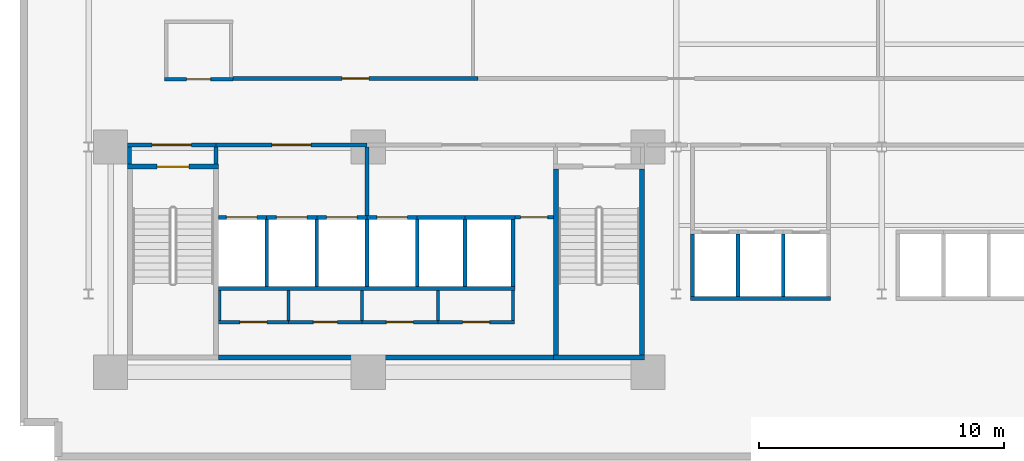
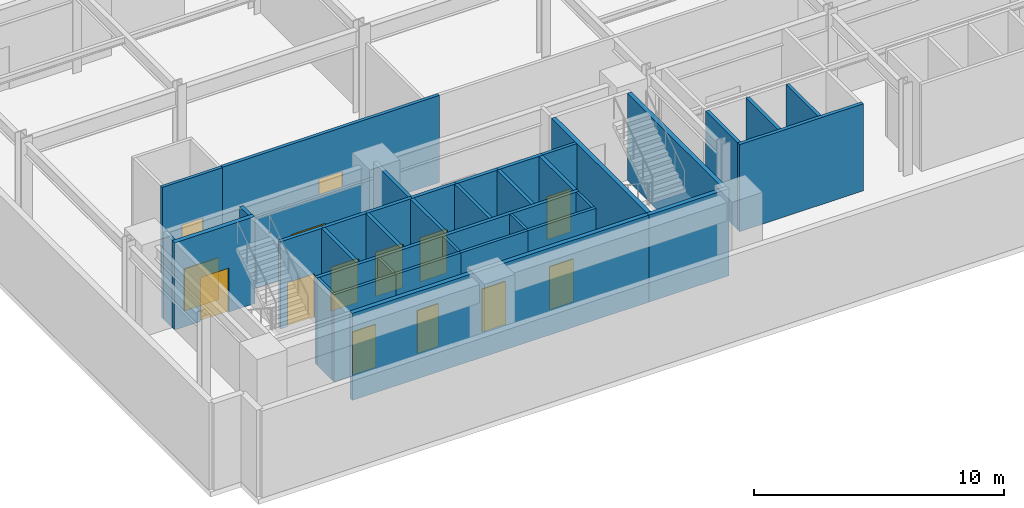
# One storey, part 14 of 26: 39 walls, 14 doors, 14 openings.
"""IFC4 building model written with IfcOpenShell, lengths in metres."""

from ifc_helpers import new_model, si_unit, direction, frame, frame_2d, origin, place, context, subcontext, project, spatial, rectangle, extrude, material, layer, layer_set, type_object, element, fill, save


model = new_model("IFC4")

# Units and contexts
model_context = context("Model", 3, precision=1e-05, world=origin(), true_north=direction((0.0, 1.0)))
body_context = subcontext(model_context, "Body", "Model", "MODEL_VIEW")
ifc_project = project(units=[si_unit("LENGTHUNIT", "METRE"), si_unit("AREAUNIT", "SQUARE_METRE"), si_unit("VOLUMEUNIT", "CUBIC_METRE"), si_unit("PLANEANGLEUNIT", "RADIAN"), si_unit("MASSUNIT", "GRAM", prefix="KILO")], contexts=[model_context])

# Site, building, storey
site_placement = place(None, origin())
site = spatial("IfcSite", under=ifc_project, at=site_placement, CompositionType="ELEMENT")
building_placement = place(site_placement, origin())
building = spatial("IfcBuilding", under=site, at=building_placement, Name="Varnakote Quay Hospital", CompositionType="ELEMENT")
storey_placement = place(building_placement, frame((0.0, 0.0, 4.5)))
storey = spatial("IfcBuildingStorey", under=building, at=storey_placement, Name="L01", CompositionType="ELEMENT", Elevation=4.5)

# Wall
ifc_material_1 = material(Name="Fire-rated acoustic gypsum stud wall", Category="gypsum")
ifc_layer_1 = layer(ifc_material_1, 0.159912109375)
ifc_layer_set_1 = layer_set([ifc_layer_1], Name="Fire-rated acoustic gypsum stud wall")
wall_type_1 = type_object("IfcWallType", Name="WL-COMP-160", PredefinedType="PARTITIONING", material=ifc_layer_set_1)
wall_1_placement = place(storey_placement, frame((2.8798828125, 11.300048828125, 0.0), z_axis=(0.0, 0.0, 1.0), x_axis=(0.0, 1.0, 0.0)))
element("IfcWall", 1, at=wall_1_placement, inside=storey, type_object=wall_type_1, Name="L01 West Stair Vestibule West Wall", PredefinedType="PARTITIONING", context=body_context, shape_type="SweptSolid", body=[
    extrude(rectangle(XDim=0.699951171875, YDim=0.159912109375, at=frame_2d((0.35009765625, 0.0))), origin(), (0.0, 0.0, 1.0), 4.25),
])

# Wall, opening, door
wall_2_placement = place(storey_placement, frame((2.800048828125, 12.080078125, 0.0), z_axis=(0.0, 0.0, 1.0), x_axis=(1.0, 0.0, 0.0)))
wall_2 = element("IfcWall", 2, at=wall_2_placement, inside=storey, type_object=wall_type_1, Name="L01 West Stair Vestibule Smoke Wall", PredefinedType="PARTITIONING", context=body_context, shape_type="SweptSolid", body=[
    extrude(rectangle(XDim=3.599853515625, YDim=0.159912109375, at=frame_2d((1.7998046875, 0.0))), origin(), (0.0, 0.0, 1.0), 3.425048828125),
])
opening_1_placement = place(wall_2_placement, frame((1.0, 0.0, 0.0)))
opening_1 = element("IfcOpeningElement", 3, at=opening_1_placement, cuts=wall_2, Name="Opening D-ST1L-L01", PredefinedType="OPENING", context=body_context, shape_type="SweptSolid", body=[
    extrude(rectangle(XDim=1.60009765625, YDim=2.050048828125, at=frame_2d((0.800048828125, 1.02490234375))), frame((0.0, 0.08984375, 0.0), z_axis=(0.0, -1.0, 0.0), x_axis=(1.0, 0.0, 0.0)), (0.0, 0.0, 1.0), 0.179931640625),
])
ifc_material_2 = material(Name="Fire-rated double smoke lobby door")
door_type_1 = type_object("IfcDoorType", Name="DR-LOBBY-FD60S-1600x2150", OperationType="NOTDEFINED", PredefinedType="DOOR", material=ifc_material_2)
door_1_placement = place(opening_1_placement, origin())
door_1 = element("IfcDoor", 4, at=door_1_placement, inside=storey, type_object=door_type_1, Name="L01 West Stair Vestibule Smoke Door", OperationType="DOUBLE_DOOR_SINGLE_SWING", OverallHeight=2.050048828125, OverallWidth=1.60009765625, PredefinedType="DOOR", context=body_context, shape_type="SweptSolid", body=[
    extrude(rectangle(XDim=1.60009765625, YDim=2.050048828125, at=frame_2d((0.800048828125, 1.02490234375))), frame((0.0, 0.02490234375, 0.0), z_axis=(0.0, -1.0, 0.0), x_axis=(1.0, 0.0, 0.0)), (0.0, 0.0, 1.0), 0.050048828125),
])
fill(opening_1, door_1)

# Wall
wall_3_placement = place(storey_placement, frame((6.39990234375, 11.300048828125, 0.0), z_axis=(0.0, 0.0, 1.0), x_axis=(0.0, 1.0, 0.0)))
element("IfcWall", 5, at=wall_3_placement, inside=storey, type_object=wall_type_1, Name="L01 Firefighting Lobby West Wall", PredefinedType="PARTITIONING", context=body_context, shape_type="SweptSolid", body=[
    extrude(rectangle(XDim=0.699951171875, YDim=0.159912109375, at=frame_2d((0.35009765625, 0.0))), origin(), (0.0, 0.0, 1.0), 4.25),
])

# Wall, opening, door
wall_4_placement = place(storey_placement, frame((6.39990234375, 12.080078125, 0.0), z_axis=(0.0, 0.0, 1.0), x_axis=(1.0, 0.0, 0.0)))
wall_4 = element("IfcWall", 6, at=wall_4_placement, inside=storey, type_object=wall_type_1, Name="L01 Firefighting Lift Lobby Compartment Wall", PredefinedType="PARTITIONING", context=body_context, shape_type="SweptSolid", body=[
    extrude(rectangle(XDim=6.18017578125, YDim=0.159912109375, at=frame_2d((3.090087890625, 0.0))), origin(), (0.0, 0.0, 1.0), 3.425048828125),
])
opening_2_placement = place(wall_4_placement, frame((2.2900390625, 0.0, 0.0)))
opening_2 = element("IfcOpeningElement", 7, at=opening_2_placement, cuts=wall_4, Name="Opening D-FFL-L01", PredefinedType="OPENING", context=body_context, shape_type="SweptSolid", body=[
    extrude(rectangle(XDim=1.60009765625, YDim=2.050048828125, at=frame_2d((0.800048828125, 1.02490234375))), frame((0.0, 0.08984375, 0.0), z_axis=(0.0, -1.0, 0.0), x_axis=(1.0, 0.0, 0.0)), (0.0, 0.0, 1.0), 0.179931640625),
])
door_2_placement = place(opening_2_placement, origin())
door_2 = element("IfcDoor", 8, at=door_2_placement, inside=storey, type_object=door_type_1, Name="L01 Firefighting Smoke Vestibule Door", OperationType="DOUBLE_DOOR_SINGLE_SWING", OverallHeight=2.050048828125, OverallWidth=1.60009765625, PredefinedType="DOOR", context=body_context, shape_type="SweptSolid", body=[
    extrude(rectangle(XDim=1.60009765625, YDim=2.050048828125, at=frame_2d((0.800048828125, 1.02490234375))), frame((0.0, 0.02490234375, 0.0), z_axis=(0.0, -1.0, 0.0), x_axis=(1.0, 0.0, 0.0)), (0.0, 0.0, 1.0), 0.050048828125),
])
fill(opening_2, door_2)

# Walls
wall_5_placement = place(storey_placement, frame((12.580078125, 9.2099609375, 0.0), z_axis=(0.0, 0.0, 1.0), x_axis=(0.0, 1.0, 0.0)))
element("IfcWall", 9, at=wall_5_placement, inside=storey, type_object=wall_type_1, Name="L01 Firefighting to Service Lobby Wall", PredefinedType="PARTITIONING", context=body_context, shape_type="SweptSolid", body=[
    extrude(rectangle(XDim=2.7900390625, YDim=0.159912109375, at=frame_2d((1.39501953125, 0.0))), origin(), (0.0, 0.0, 1.0), 4.25),
])
ifc_material_3 = material(Name="Concrete N80 (f'c 80 MPa)", Category="concrete")
ifc_layer_2 = layer(ifc_material_3, 0.199951171875)
ifc_layer_set_2 = layer_set([ifc_layer_2], Name="Concrete N80 (f'c 80 MPa)")
wall_type_2 = type_object("IfcWallType", Name="WL-CORE-N80-200", PredefinedType="SHEAR", material=ifc_layer_set_2)
wall_6_placement = place(storey_placement, frame((6.5, 3.39990234375, 0.0), z_axis=(0.0, 0.0, 1.0), x_axis=(1.0, 0.0, 0.0)))
element("IfcWall", 10, at=wall_6_placement, inside=storey, type_object=wall_type_2, Name="L01 Rear Core South Shear Wall", PredefinedType="SHEAR", context=body_context, shape_type="SweptSolid", body=[
    extrude(rectangle(XDim=13.699951171875, YDim=0.199951171875, at=frame_2d((6.85009765625, 0.0))), origin(), (0.0, 0.0, 1.0), 4.25),
])
ifc_material_4 = material(Name="Concrete N50 (f'c 50 MPa)", Category="concrete")
ifc_layer_3 = layer(ifc_material_4, 0.14990234375)
ifc_layer_set_3 = layer_set([ifc_layer_3], Name="Concrete N50 (f'c 50 MPa)")
wall_type_3 = type_object("IfcWallType", Name="WL-SHAFT-N50-150", PredefinedType="SHEAR", material=ifc_layer_set_3)
for number, where, z_axis, x_axis, name in (
    (11, (8.47509765625, 6.300048828125, 0.0), (0.0, 0.0, 1.0), (0.0, 1.0, 0.0), "L01 LF-FF1 Hoistway Divider Wall"),
    (12, (10.52490234375, 6.300048828125, 0.0), (0.0, 0.0, 1.0), (0.0, 1.0, 0.0), "L01 LF-FF2 Hoistway Divider Wall"),
    (13, (12.574951171875, 6.300048828125, 0.0), (0.0, 0.0, 1.0), (0.0, 1.0, 0.0), "L01 LF-SV1 Hoistway Divider Wall"),
    (14, (14.625, 6.300048828125, 0.0), (0.0, 0.0, 1.0), (0.0, 1.0, 0.0), "L01 LF-SV2 Hoistway Divider Wall"),
    (15, (16.574951171875, 6.300048828125, 0.0), (0.0, 0.0, 1.0), (0.0, 1.0, 0.0), "L01 LF-PH1 Hoistway Divider Wall"),
):
    element("IfcWall", number, at=place(storey_placement, frame(where, z_axis=z_axis, x_axis=x_axis)), inside=storey, type_object=wall_type_3, Name=name, PredefinedType="SHEAR", context=body_context, shape_type="SweptSolid", body=[
        extrude(rectangle(XDim=2.75, YDim=0.14990234375, at=frame_2d((1.375, 0.0))), origin(), (0.0, 0.0, 1.0), 4.25),
    ])
for number, where, z_axis, x_axis, name in (
    (16, (27.72509765625, 5.89990234375, 0.0), (0.0, 0.0, 1.0), (0.0, 1.0, 0.0), "L01 LF-PL1 Hoistway Divider Wall"),
    (17, (29.574951171875, 5.89990234375, 0.0), (0.0, 0.0, 1.0), (0.0, 1.0, 0.0), "L01 LF-PL2 Hoistway Divider Wall"),
):
    element("IfcWall", number, at=place(storey_placement, frame(where, z_axis=z_axis, x_axis=x_axis)), inside=storey, type_object=wall_type_3, Name=name, PredefinedType="SHEAR", context=body_context, shape_type="SweptSolid", body=[
        extrude(rectangle(XDim=2.550048828125, YDim=0.14990234375, at=frame_2d((1.27490234375, 0.0))), origin(), (0.0, 0.0, 1.0), 4.25),
    ])
ifc_material_5 = material(Name="Concrete N50 (f'c 50 MPa)", Category="concrete")
ifc_layer_4 = layer(ifc_material_5, 0.159912109375)
ifc_layer_set_4 = layer_set([ifc_layer_4], Name="Concrete N50 (f'c 50 MPa)")
wall_type_4 = type_object("IfcWallType", Name="WL-SHAFT-N50-160", PredefinedType="SHEAR", material=ifc_layer_set_4)
wall_7_placement = place(storey_placement, frame((6.5, 6.219970703125, 0.0), z_axis=(0.0, 0.0, 1.0), x_axis=(1.0, 0.0, 0.0)))
element("IfcWall", 18, at=wall_7_placement, inside=storey, type_object=wall_type_4, Name="L01 REAR Lift Bank Back Shear Wall", PredefinedType="SHEAR", context=body_context, shape_type="SweptSolid", body=[
    extrude(rectangle(XDim=12.110107421875, YDim=0.159912109375, at=frame_2d((6.05517578125, 0.0))), origin(), (0.0, 0.0, 1.0), 4.25),
])
wall_8_placement = place(storey_placement, frame((18.530029296875, 6.300048828125, 0.0), z_axis=(0.0, 0.0, 1.0), x_axis=(0.0, 1.0, 0.0)))
element("IfcWall", 19, at=wall_8_placement, inside=storey, type_object=wall_type_4, Name="L01 REAR Lift Bank East Shear Wall", PredefinedType="SHEAR", context=body_context, shape_type="SweptSolid", body=[
    extrude(rectangle(XDim=2.75, YDim=0.159912109375, at=frame_2d((1.375, 0.0))), origin(), (0.0, 0.0, 1.0), 4.25),
])

# Wall, opening, door
wall_9_placement = place(storey_placement, frame((6.5, 9.1298828125, 0.0), z_axis=(0.0, 0.0, 1.0), x_axis=(1.0, 0.0, 0.0)))
wall_9 = element("IfcWall", 20, at=wall_9_placement, inside=storey, type_object=wall_type_4, Name="L01 LF-FF1 Hoistway Front Wall", PredefinedType="SHEAR", context=body_context, shape_type="SweptSolid", body=[
    extrude(rectangle(XDim=1.97509765625, YDim=0.159912109375, at=frame_2d((0.987548828125, 0.0))), origin(), (0.0, 0.0, 1.0), 4.25),
])
opening_3_placement = place(wall_9_placement, frame((0.324951171875, 0.0, 0.0)))
opening_3 = element("IfcOpeningElement", 21, at=opening_3_placement, cuts=wall_9, Name="Opening LD-FF1-L01", PredefinedType="OPENING", context=body_context, shape_type="SweptSolid", body=[
    extrude(rectangle(XDim=1.25, YDim=2.14990234375, at=frame_2d((0.625, 1.074951171875))), frame((0.0, 0.08984375, 0.0), z_axis=(0.0, -1.0, 0.0), x_axis=(1.0, 0.0, 0.0)), (0.0, 0.0, 1.0), 0.179931640625),
])
ifc_material_6 = material(Name="Stainless steel lift landing sliding door", Category="steel")
door_type_2 = type_object("IfcDoorType", Name="DR-LIFT-LD-1250x2150", OperationType="NOTDEFINED", PredefinedType="DOOR", material=ifc_material_6)
door_3_placement = place(opening_3_placement, origin())
door_3 = element("IfcDoor", 22, at=door_3_placement, inside=storey, type_object=door_type_2, Name="L01 LF-FF1 Lift Landing Sliding Door", OperationType="SLIDING_TO_LEFT", OverallHeight=2.14990234375, OverallWidth=1.25, PredefinedType="DOOR", context=body_context, shape_type="SweptSolid", body=[
    extrude(rectangle(XDim=1.25, YDim=2.14990234375, at=frame_2d((0.625, 1.074951171875))), frame((0.0, 0.02490234375, 0.0), z_axis=(0.0, -1.0, 0.0), x_axis=(1.0, 0.0, 0.0)), (0.0, 0.0, 1.0), 0.050048828125),
])
fill(opening_3, door_3)

wall_10_placement = place(storey_placement, frame((8.47509765625, 9.1298828125, 0.0), z_axis=(0.0, 0.0, 1.0), x_axis=(1.0, 0.0, 0.0)))
wall_10 = element("IfcWall", 23, at=wall_10_placement, inside=storey, type_object=wall_type_4, Name="L01 LF-FF2 Hoistway Front Wall", PredefinedType="SHEAR", context=body_context, shape_type="SweptSolid", body=[
    extrude(rectangle(XDim=2.0498046875, YDim=0.159912109375, at=frame_2d((1.02490234375, 0.0))), origin(), (0.0, 0.0, 1.0), 4.25),
])
opening_4_placement = place(wall_10_placement, frame((0.39990234375, 0.0, 0.0)))
opening_4 = element("IfcOpeningElement", 24, at=opening_4_placement, cuts=wall_10, Name="Opening LD-FF2-L01", PredefinedType="OPENING", context=body_context, shape_type="SweptSolid", body=[
    extrude(rectangle(XDim=1.25, YDim=2.14990234375, at=frame_2d((0.625, 1.074951171875))), frame((0.0, 0.08984375, 0.0), z_axis=(0.0, -1.0, 0.0), x_axis=(1.0, 0.0, 0.0)), (0.0, 0.0, 1.0), 0.179931640625),
])
door_4_placement = place(opening_4_placement, origin())
door_4 = element("IfcDoor", 25, at=door_4_placement, inside=storey, type_object=door_type_2, Name="L01 LF-FF2 Lift Landing Sliding Door", OperationType="SLIDING_TO_LEFT", OverallHeight=2.14990234375, OverallWidth=1.25, PredefinedType="DOOR", context=body_context, shape_type="SweptSolid", body=[
    extrude(rectangle(XDim=1.25, YDim=2.14990234375, at=frame_2d((0.625, 1.074951171875))), frame((0.0, 0.02490234375, 0.0), z_axis=(0.0, -1.0, 0.0), x_axis=(1.0, 0.0, 0.0)), (0.0, 0.0, 1.0), 0.050048828125),
])
fill(opening_4, door_4)

wall_11_placement = place(storey_placement, frame((10.52490234375, 9.1298828125, 0.0), z_axis=(0.0, 0.0, 1.0), x_axis=(1.0, 0.0, 0.0)))
wall_11 = element("IfcWall", 26, at=wall_11_placement, inside=storey, type_object=wall_type_4, Name="L01 LF-SV1 Hoistway Front Wall", PredefinedType="SHEAR", context=body_context, shape_type="SweptSolid", body=[
    extrude(rectangle(XDim=2.050048828125, YDim=0.159912109375, at=frame_2d((1.02490234375, 0.0))), origin(), (0.0, 0.0, 1.0), 4.25),
])
opening_5_placement = place(wall_11_placement, frame((0.39990234375, 0.0, 0.0)))
opening_5 = element("IfcOpeningElement", 27, at=opening_5_placement, cuts=wall_11, Name="Opening LD-SV1-L01", PredefinedType="OPENING", context=body_context, shape_type="SweptSolid", body=[
    extrude(rectangle(XDim=1.25, YDim=2.14990234375, at=frame_2d((0.625, 1.074951171875))), frame((0.0, 0.08984375, 0.0), z_axis=(0.0, -1.0, 0.0), x_axis=(1.0, 0.0, 0.0)), (0.0, 0.0, 1.0), 0.179931640625),
])
door_5_placement = place(opening_5_placement, origin())
door_5 = element("IfcDoor", 28, at=door_5_placement, inside=storey, type_object=door_type_2, Name="L01 LF-SV1 Lift Landing Sliding Door", OperationType="SLIDING_TO_LEFT", OverallHeight=2.14990234375, OverallWidth=1.25, PredefinedType="DOOR", context=body_context, shape_type="SweptSolid", body=[
    extrude(rectangle(XDim=1.25, YDim=2.14990234375, at=frame_2d((0.625, 1.074951171875))), frame((0.0, 0.02490234375, 0.0), z_axis=(0.0, -1.0, 0.0), x_axis=(1.0, 0.0, 0.0)), (0.0, 0.0, 1.0), 0.050048828125),
])
fill(opening_5, door_5)

wall_12_placement = place(storey_placement, frame((12.574951171875, 9.1298828125, 0.0), z_axis=(0.0, 0.0, 1.0), x_axis=(1.0, 0.0, 0.0)))
wall_12 = element("IfcWall", 29, at=wall_12_placement, inside=storey, type_object=wall_type_4, Name="L01 LF-SV2 Hoistway Front Wall", PredefinedType="SHEAR", context=body_context, shape_type="SweptSolid", body=[
    extrude(rectangle(XDim=2.050048828125, YDim=0.159912109375, at=frame_2d((1.02490234375, 0.0))), origin(), (0.0, 0.0, 1.0), 4.25),
])
opening_6_placement = place(wall_12_placement, frame((0.39990234375, 0.0, 0.0)))
opening_6 = element("IfcOpeningElement", 30, at=opening_6_placement, cuts=wall_12, Name="Opening LD-SV2-L01", PredefinedType="OPENING", context=body_context, shape_type="SweptSolid", body=[
    extrude(rectangle(XDim=1.25, YDim=2.14990234375, at=frame_2d((0.625, 1.074951171875))), frame((0.0, 0.08984375, 0.0), z_axis=(0.0, -1.0, 0.0), x_axis=(1.0, 0.0, 0.0)), (0.0, 0.0, 1.0), 0.179931640625),
])
door_6_placement = place(opening_6_placement, origin())
door_6 = element("IfcDoor", 31, at=door_6_placement, inside=storey, type_object=door_type_2, Name="L01 LF-SV2 Lift Landing Sliding Door", OperationType="SLIDING_TO_LEFT", OverallHeight=2.14990234375, OverallWidth=1.25, PredefinedType="DOOR", context=body_context, shape_type="SweptSolid", body=[
    extrude(rectangle(XDim=1.25, YDim=2.14990234375, at=frame_2d((0.625, 1.074951171875))), frame((0.0, 0.02490234375, 0.0), z_axis=(0.0, -1.0, 0.0), x_axis=(1.0, 0.0, 0.0)), (0.0, 0.0, 1.0), 0.050048828125),
])
fill(opening_6, door_6)

# Walls
wall_13_placement = place(storey_placement, frame((14.625, 9.1298828125, 0.0), z_axis=(0.0, 0.0, 1.0), x_axis=(1.0, 0.0, 0.0)))
element("IfcWall", 32, at=wall_13_placement, inside=storey, type_object=wall_type_4, Name="L01 LF-PH1 Hoistway Front Wall", PredefinedType="SHEAR", context=body_context, shape_type="SweptSolid", body=[
    extrude(rectangle(XDim=1.949951171875, YDim=0.159912109375, at=frame_2d((0.97509765625, 0.0))), origin(), (0.0, 0.0, 1.0), 4.25),
])
wall_14_placement = place(storey_placement, frame((16.574951171875, 9.1298828125, 0.0), z_axis=(0.0, 0.0, 1.0), x_axis=(1.0, 0.0, 0.0)))
element("IfcWall", 33, at=wall_14_placement, inside=storey, type_object=wall_type_4, Name="L01 LF-PH2 Hoistway Front Wall", PredefinedType="SHEAR", context=body_context, shape_type="SweptSolid", body=[
    extrude(rectangle(XDim=2.03515625, YDim=0.159912109375, at=frame_2d((1.017578125, 0.0))), origin(), (0.0, 0.0, 1.0), 4.25),
])
wall_15_placement = place(storey_placement, frame((25.7900390625, 5.820068359375, 0.0), z_axis=(0.0, 0.0, 1.0), x_axis=(1.0, 0.0, 0.0)))
element("IfcWall", 34, at=wall_15_placement, inside=storey, type_object=wall_type_4, Name="L01 LOW Lift Bank Back Shear Wall", PredefinedType="SHEAR", context=body_context, shape_type="SweptSolid", body=[
    extrude(rectangle(XDim=5.719970703125, YDim=0.159912109375, at=frame_2d((2.85986328125, 0.0))), origin(), (0.0, 0.0, 1.0), 4.25),
])
wall_16_placement = place(storey_placement, frame((25.8701171875, 5.89990234375, 0.0), z_axis=(0.0, 0.0, 1.0), x_axis=(0.0, 1.0, 0.0)))
element("IfcWall", 35, at=wall_16_placement, inside=storey, type_object=wall_type_4, Name="L01 LOW Lift Bank West Shear Wall", PredefinedType="SHEAR", context=body_context, shape_type="SweptSolid", body=[
    extrude(rectangle(XDim=2.550048828125, YDim=0.159912109375, at=frame_2d((1.27490234375, 0.0))), origin(), (0.0, 0.0, 1.0), 4.25),
])

# Wall, opening, door
ifc_material_7 = material(Name="Concrete N50 (f'c 50 MPa)", Category="concrete")
ifc_layer_5 = layer(ifc_material_7, 0.199951171875)
ifc_layer_set_5 = layer_set([ifc_layer_5], Name="Concrete N50 (f'c 50 MPa)")
wall_type_5 = type_object("IfcWallType", Name="WL-SHAFT-N50-200", PredefinedType="SHEAR", material=ifc_layer_set_5)
wall_17_placement = place(storey_placement, frame((2.800048828125, 11.199951171875, 0.0), z_axis=(0.0, 0.0, 1.0), x_axis=(1.0, 0.0, 0.0)))
wall_17 = element("IfcWall", 36, at=wall_17_placement, inside=storey, type_object=wall_type_5, Name="L01 Stair ST1 Exit Wall", PredefinedType="SHEAR", context=body_context, shape_type="SweptSolid", body=[
    extrude(rectangle(XDim=3.699951171875, YDim=0.199951171875, at=frame_2d((1.85009765625, 0.0))), origin(), (0.0, 0.0, 1.0), 4.25),
])
opening_7_placement = place(wall_17_placement, frame((1.199951171875, 0.0, 0.0)))
opening_7 = element("IfcOpeningElement", 37, at=opening_7_placement, cuts=wall_17, Name="Opening D-ST1-L01", PredefinedType="OPENING", context=body_context, shape_type="SweptSolid", body=[
    extrude(rectangle(XDim=1.300048828125, YDim=2.14990234375, at=frame_2d((0.64990234375, 1.074951171875))), frame((0.0, 0.10986328125, 0.0), z_axis=(0.0, -1.0, 0.0), x_axis=(1.0, 0.0, 0.0)), (0.0, 0.0, 1.0), 0.219970703125),
])
ifc_material_8 = material(Name="Fire-rated ceramic-glazed timber exit door", Category="wood")
door_type_3 = type_object("IfcDoorType", Name="DR-STAIR-FD60S-1300x2150", OperationType="NOTDEFINED", PredefinedType="DOOR", material=ifc_material_8)
door_7_placement = place(opening_7_placement, origin())
door_7 = element("IfcDoor", 38, at=door_7_placement, inside=storey, type_object=door_type_3, Name="L01 Stair ST1 Fire Exit Door", OperationType="SINGLE_SWING_LEFT", OverallHeight=2.14990234375, OverallWidth=1.300048828125, PredefinedType="DOOR", context=body_context, shape_type="SweptSolid", body=[
    extrude(rectangle(XDim=1.300048828125, YDim=2.14990234375, at=frame_2d((0.64990234375, 1.074951171875))), frame((0.0, 0.02490234375, 0.0), z_axis=(0.0, -1.0, 0.0), x_axis=(1.0, 0.0, 0.0)), (0.0, 0.0, 1.0), 0.050048828125),
])
fill(opening_7, door_7)

# Walls
wall_18_placement = place(storey_placement, frame((20.199951171875, 3.39990234375, 0.0), z_axis=(0.0, 0.0, 1.0), x_axis=(1.0, 0.0, 0.0)))
element("IfcWall", 39, at=wall_18_placement, inside=storey, type_object=wall_type_5, Name="L01 Stair ST2 South Shaft Wall", PredefinedType="SHEAR", context=body_context, shape_type="SweptSolid", body=[
    extrude(rectangle(XDim=3.699951171875, YDim=0.199951171875, at=frame_2d((1.85009765625, 0.0))), origin(), (0.0, 0.0, 1.0), 4.25),
])
for number, where, z_axis, x_axis, name in (
    (40, (20.300048828125, 3.5, 0.0), (0.0, 0.0, 1.0), (0.0, 1.0, 0.0), "L01 Stair ST2 West Shaft Wall"),
    (41, (23.800048828125, 3.5, 0.0), (0.0, 0.0, 1.0), (0.0, 1.0, 0.0), "L01 Stair ST2 East Shaft Wall"),
):
    element("IfcWall", number, at=place(storey_placement, frame(where, z_axis=z_axis, x_axis=x_axis)), inside=storey, type_object=wall_type_5, Name=name, PredefinedType="SHEAR", context=body_context, shape_type="SweptSolid", body=[
        extrude(rectangle(XDim=7.60009765625, YDim=0.199951171875, at=frame_2d((3.800048828125, 0.0))), origin(), (0.0, 0.0, 1.0), 4.25),
    ])
ifc_material_9 = material(Name="Smoke-proof clinical partition", Category="gypsum")
ifc_layer_6 = layer(ifc_material_9, 0.1201171875)
ifc_layer_set_6 = layer_set([ifc_layer_6], Name="Smoke-proof clinical partition")
wall_type_6 = type_object("IfcWallType", Name="WL-SMOKE-120", PredefinedType="PARTITIONING", material=ifc_layer_set_6)
for number, where, z_axis, x_axis, name in (
    (42, (6.56005859375, 4.919921875, 0.0), (0.0, 0.0, 1.0), (0.0, 1.0, 0.0), "L01 Core Service Strip West Wall"),
    (43, (18.5400390625, 4.919921875, 0.0), (0.0, 0.0, 1.0), (0.0, 1.0, 0.0), "L01 Core Service Strip East Wall"),
    (44, (9.3701171875, 4.919921875, 0.0), (0.0, 0.0, 1.0), (0.0, 1.0, 0.0), "L01 Core Service Divider 1"),
    (45, (12.3701171875, 4.919921875, 0.0), (0.0, 0.0, 1.0), (0.0, 1.0, 0.0), "L01 Core Service Divider 2"),
    (46, (15.469970703125, 4.919921875, 0.0), (0.0, 0.0, 1.0), (0.0, 1.0, 0.0), "L01 Core Service Divider 3"),
):
    element("IfcWall", number, at=place(storey_placement, frame(where, z_axis=z_axis, x_axis=x_axis)), inside=storey, type_object=wall_type_6, Name=name, PredefinedType="PARTITIONING", context=body_context, shape_type="SweptSolid", body=[
        extrude(rectangle(XDim=1.219970703125, YDim=0.1201171875, at=frame_2d((0.60986328125, 0.0))), origin(), (0.0, 0.0, 1.0), 4.25),
    ])

# Wall, opening, door
ifc_material_10 = material(Name="Fire-rated clinical gypsum partition", Category="gypsum")
ifc_layer_7 = layer(ifc_material_10, 0.139892578125)
ifc_layer_set_7 = layer_set([ifc_layer_7], Name="Fire-rated clinical gypsum partition")
wall_type_7 = type_object("IfcWallType", Name="WL-WARD-140", PredefinedType="PARTITIONING", material=ifc_layer_set_7)
wall_19_placement = place(storey_placement, frame((6.5, 4.85009765625, 0.0), z_axis=(0.0, 0.0, 1.0), x_axis=(1.0, 0.0, 0.0)))
wall_19 = element("IfcWall", 47, at=wall_19_placement, inside=storey, type_object=wall_type_7, Name="L01 Core Clean Linen Store South Wall", PredefinedType="PARTITIONING", context=body_context, shape_type="SweptSolid", body=[
    extrude(rectangle(XDim=2.8701171875, YDim=0.139892578125, at=frame_2d((1.43505859375, 0.0))), origin(), (0.0, 0.0, 1.0), 4.25),
])
opening_8_placement = place(wall_19_placement, frame((0.885009765625, 0.0, 0.0)))
opening_8 = element("IfcOpeningElement", 48, at=opening_8_placement, cuts=wall_19, Name="Opening D-L01-CR01", PredefinedType="OPENING", context=body_context, shape_type="SweptSolid", body=[
    extrude(rectangle(XDim=1.10009765625, YDim=2.10009765625, at=frame_2d((0.550048828125, 1.050048828125))), frame((0.0, 0.079833984375, 0.0), z_axis=(0.0, -1.0, 0.0), x_axis=(1.0, 0.0, 0.0)), (0.0, 0.0, 1.0), 0.159912109375),
])
ifc_material_11 = material(Name="Acoustic timber clinical consult door", Category="wood")
door_type_4 = type_object("IfcDoorType", Name="DR-CLIN-FD30S-1100x2100", OperationType="NOTDEFINED", PredefinedType="DOOR", material=ifc_material_11)
door_8_placement = place(opening_8_placement, origin())
door_8 = element("IfcDoor", 49, at=door_8_placement, inside=storey, type_object=door_type_4, Name="L01 Core Clean Linen Store Door", OperationType="SINGLE_SWING_LEFT", OverallHeight=2.10009765625, OverallWidth=1.10009765625, PredefinedType="DOOR", context=body_context, shape_type="SweptSolid", body=[
    extrude(rectangle(XDim=1.10009765625, YDim=2.10009765625, at=frame_2d((0.550048828125, 1.050048828125))), frame((0.0, 0.02490234375, 0.0), z_axis=(0.0, -1.0, 0.0), x_axis=(1.0, 0.0, 0.0)), (0.0, 0.0, 1.0), 0.050048828125),
])
fill(opening_8, door_8)

wall_20_placement = place(storey_placement, frame((9.3701171875, 4.85009765625, 0.0), z_axis=(0.0, 0.0, 1.0), x_axis=(1.0, 0.0, 0.0)))
wall_20 = element("IfcWall", 50, at=wall_20_placement, inside=storey, type_object=wall_type_7, Name="L01 Core Staff Sanitary WC South Wall", PredefinedType="PARTITIONING", context=body_context, shape_type="SweptSolid", body=[
    extrude(rectangle(XDim=3.0, YDim=0.139892578125, at=frame_2d((1.5, 0.0))), origin(), (0.0, 0.0, 1.0), 4.25),
])
opening_9_placement = place(wall_20_placement, frame((1.010009765625, 0.0, 0.0)))
opening_9 = element("IfcOpeningElement", 51, at=opening_9_placement, cuts=wall_20, Name="Opening D-L01-CR02", PredefinedType="OPENING", context=body_context, shape_type="SweptSolid", body=[
    extrude(rectangle(XDim=0.97998046875, YDim=2.10009765625, at=frame_2d((0.489990234375, 1.050048828125))), frame((0.0, 0.079833984375, 0.0), z_axis=(0.0, -1.0, 0.0), x_axis=(1.0, 0.0, 0.0)), (0.0, 0.0, 1.0), 0.159912109375),
])
ifc_material_12 = material(Name="Accessible sanitary compartment door")
door_type_5 = type_object("IfcDoorType", Name="DR-WC-980x2100", OperationType="NOTDEFINED", PredefinedType="DOOR", material=ifc_material_12)
door_9_placement = place(opening_9_placement, origin())
door_9 = element("IfcDoor", 52, at=door_9_placement, inside=storey, type_object=door_type_5, Name="L01 Core Staff Sanitary WC Door", OperationType="SINGLE_SWING_RIGHT", OverallHeight=2.10009765625, OverallWidth=0.97998046875, PredefinedType="DOOR", context=body_context, shape_type="SweptSolid", body=[
    extrude(rectangle(XDim=0.97998046875, YDim=2.10009765625, at=frame_2d((0.489990234375, 1.050048828125))), frame((0.0, 0.02490234375, 0.0), z_axis=(0.0, -1.0, 0.0), x_axis=(1.0, 0.0, 0.0)), (0.0, 0.0, 1.0), 0.050048828125),
])
fill(opening_9, door_9)

wall_21_placement = place(storey_placement, frame((12.3701171875, 4.85009765625, 0.0), z_axis=(0.0, 0.0, 1.0), x_axis=(1.0, 0.0, 0.0)))
wall_21 = element("IfcWall", 53, at=wall_21_placement, inside=storey, type_object=wall_type_7, Name="L01 Core Clean Medication Store South Wall", PredefinedType="PARTITIONING", context=body_context, shape_type="SweptSolid", body=[
    extrude(rectangle(XDim=3.099853515625, YDim=0.139892578125, at=frame_2d((1.5498046875, 0.0))), origin(), (0.0, 0.0, 1.0), 4.25),
])
opening_10_placement = place(wall_21_placement, frame((1.0, 0.0, 0.0)))
opening_10 = element("IfcOpeningElement", 54, at=opening_10_placement, cuts=wall_21, Name="Opening D-L01-CR03", PredefinedType="OPENING", context=body_context, shape_type="SweptSolid", body=[
    extrude(rectangle(XDim=1.10009765625, YDim=2.10009765625, at=frame_2d((0.550048828125, 1.050048828125))), frame((0.0, 0.079833984375, 0.0), z_axis=(0.0, -1.0, 0.0), x_axis=(1.0, 0.0, 0.0)), (0.0, 0.0, 1.0), 0.159912109375),
])
door_10_placement = place(opening_10_placement, origin())
door_10 = element("IfcDoor", 55, at=door_10_placement, inside=storey, type_object=door_type_4, Name="L01 Core Clean Medication Store Door", OperationType="SINGLE_SWING_LEFT", OverallHeight=2.10009765625, OverallWidth=1.10009765625, PredefinedType="DOOR", context=body_context, shape_type="SweptSolid", body=[
    extrude(rectangle(XDim=1.10009765625, YDim=2.10009765625, at=frame_2d((0.550048828125, 1.050048828125))), frame((0.0, 0.02490234375, 0.0), z_axis=(0.0, -1.0, 0.0), x_axis=(1.0, 0.0, 0.0)), (0.0, 0.0, 1.0), 0.050048828125),
])
fill(opening_10, door_10)

wall_22_placement = place(storey_placement, frame((15.469970703125, 4.85009765625, 0.0), z_axis=(0.0, 0.0, 1.0), x_axis=(1.0, 0.0, 0.0)))
wall_22 = element("IfcWall", 56, at=wall_22_placement, inside=storey, type_object=wall_type_7, Name="L01 Core Cleaner Supply Store South Wall", PredefinedType="PARTITIONING", context=body_context, shape_type="SweptSolid", body=[
    extrude(rectangle(XDim=3.130126953125, YDim=0.139892578125, at=frame_2d((1.56494140625, 0.0))), origin(), (0.0, 0.0, 1.0), 4.25),
])
opening_11_placement = place(wall_22_placement, frame((1.014892578125, 0.0, 0.0)))
opening_11 = element("IfcOpeningElement", 57, at=opening_11_placement, cuts=wall_22, Name="Opening D-L01-CR04", PredefinedType="OPENING", context=body_context, shape_type="SweptSolid", body=[
    extrude(rectangle(XDim=1.10009765625, YDim=2.10009765625, at=frame_2d((0.550048828125, 1.050048828125))), frame((0.0, 0.079833984375, 0.0), z_axis=(0.0, -1.0, 0.0), x_axis=(1.0, 0.0, 0.0)), (0.0, 0.0, 1.0), 0.159912109375),
])
door_11_placement = place(opening_11_placement, origin())
door_11 = element("IfcDoor", 58, at=door_11_placement, inside=storey, type_object=door_type_4, Name="L01 Core Cleaner Supply Store Door", OperationType="SINGLE_SWING_RIGHT", OverallHeight=2.10009765625, OverallWidth=1.10009765625, PredefinedType="DOOR", context=body_context, shape_type="SweptSolid", body=[
    extrude(rectangle(XDim=1.10009765625, YDim=2.10009765625, at=frame_2d((0.550048828125, 1.050048828125))), frame((0.0, 0.02490234375, 0.0), z_axis=(0.0, -1.0, 0.0), x_axis=(1.0, 0.0, 0.0)), (0.0, 0.0, 1.0), 0.050048828125),
])
fill(opening_11, door_11)

wall_23_placement = place(storey_placement, frame((18.610107421875, 9.1298828125, 0.0), z_axis=(0.0, 0.0, 1.0), x_axis=(1.0, 0.0, 0.0)))
wall_23 = element("IfcWall", 59, at=wall_23_placement, inside=storey, type_object=wall_type_7, Name="L01 Core Service Corridor North Door Wall", PredefinedType="PARTITIONING", context=body_context, shape_type="SweptSolid", body=[
    extrude(rectangle(XDim=1.58984375, YDim=0.139892578125, at=frame_2d((0.794921875, 0.0))), origin(), (0.0, 0.0, 1.0), 4.25),
])
opening_12_placement = place(wall_23_placement, frame((0.239990234375, 0.0, 0.0)))
opening_12 = element("IfcOpeningElement", 60, at=opening_12_placement, cuts=wall_23, Name="Opening D-CSRV-L01", PredefinedType="OPENING", context=body_context, shape_type="SweptSolid", body=[
    extrude(rectangle(XDim=1.10009765625, YDim=2.10009765625, at=frame_2d((0.550048828125, 1.050048828125))), frame((0.0, 0.079833984375, 0.0), z_axis=(0.0, -1.0, 0.0), x_axis=(1.0, 0.0, 0.0)), (0.0, 0.0, 1.0), 0.159912109375),
])
door_12_placement = place(opening_12_placement, origin())
door_12 = element("IfcDoor", 61, at=door_12_placement, inside=storey, type_object=door_type_4, Name="L01 Core Service Corridor Door", OperationType="SINGLE_SWING_LEFT", OverallHeight=2.10009765625, OverallWidth=1.10009765625, PredefinedType="DOOR", context=body_context, shape_type="SweptSolid", body=[
    extrude(rectangle(XDim=1.10009765625, YDim=2.10009765625, at=frame_2d((0.550048828125, 1.050048828125))), frame((0.0, 0.02490234375, 0.0), z_axis=(0.0, -1.0, 0.0), x_axis=(1.0, 0.0, 0.0)), (0.0, 0.0, 1.0), 0.050048828125),
])
fill(opening_12, door_12)

wall_24_placement = place(storey_placement, frame((4.31005859375, 14.77001953125, 0.0), z_axis=(0.0, 0.0, 1.0), x_axis=(1.0, 0.0, 0.0)))
wall_24 = element("IfcWall", 62, at=wall_24_placement, inside=storey, type_object=wall_type_7, Name="L01 Floor Unisex Accessible WC S Wall", PredefinedType="PARTITIONING", context=body_context, shape_type="SweptSolid", body=[
    extrude(rectangle(XDim=2.780029296875, YDim=0.139892578125, at=frame_2d((1.39013671875, 0.0))), origin(), (0.0, 0.0, 1.0), 4.25),
])
opening_13_placement = place(wall_24_placement, frame((0.89990234375, 0.0, 0.0)))
opening_13 = element("IfcOpeningElement", 63, at=opening_13_placement, cuts=wall_24, Name="Opening D-L01-EW01", PredefinedType="OPENING", context=body_context, shape_type="SweptSolid", body=[
    extrude(rectangle(XDim=0.97998046875, YDim=2.10009765625, at=frame_2d((0.489990234375, 1.050048828125))), frame((0.0, 0.079833984375, 0.0), z_axis=(0.0, -1.0, 0.0), x_axis=(1.0, 0.0, 0.0)), (0.0, 0.0, 1.0), 0.159912109375),
])
door_13_placement = place(opening_13_placement, origin())
door_13 = element("IfcDoor", 64, at=door_13_placement, inside=storey, type_object=door_type_5, Name="L01 Floor Unisex Accessible WC Door", OperationType="SINGLE_SWING_RIGHT", OverallHeight=2.10009765625, OverallWidth=0.97998046875, PredefinedType="DOOR", context=body_context, shape_type="SweptSolid", body=[
    extrude(rectangle(XDim=0.97998046875, YDim=2.10009765625, at=frame_2d((0.489990234375, 1.050048828125))), frame((0.0, 0.02490234375, 0.0), z_axis=(0.0, -1.0, 0.0), x_axis=(1.0, 0.0, 0.0)), (0.0, 0.0, 1.0), 0.050048828125),
])
fill(opening_13, door_13)

ifc_material_13 = material(Name="Fire-rated clinical gypsum partition", Category="gypsum")
ifc_layer_8 = layer(ifc_material_13, 0.14990234375)
ifc_layer_set_8 = layer_set([ifc_layer_8], Name="Fire-rated clinical gypsum partition")
wall_type_8 = type_object("IfcWallType", Name="WL-WARD-150", PredefinedType="PARTITIONING", material=ifc_layer_set_8)
wall_25_placement = place(storey_placement, frame((17.117919921875, 14.800048828125, 0.0), z_axis=(0.0, 0.0, 1.0), x_axis=(-1.0, 0.0, 0.0)))
wall_25 = element("IfcWall", 65, at=wall_25_placement, inside=storey, type_object=wall_type_8, Name="L01 Clinical Interior Partition", PredefinedType="PARTITIONING", context=body_context, shape_type="SweptSolid", body=[
    extrude(rectangle(XDim=10.02587890625, YDim=0.14990234375, at=frame_2d((5.012939453125, 0.0))), origin(), (0.0, 0.0, 1.0), 4.25),
])
opening_14_placement = place(wall_25_placement, frame((4.462890625, 0.0, 0.0)))
opening_14 = element("IfcOpeningElement", 66, at=opening_14_placement, cuts=wall_25, Name="Opening D-L01-MRI1", PredefinedType="OPENING", context=body_context, shape_type="SweptSolid", body=[
    extrude(rectangle(XDim=1.10009765625, YDim=2.10009765625, at=frame_2d((0.550048828125, 1.050048828125))), frame((0.0, 0.0849609375, 0.0), z_axis=(0.0, -1.0, 0.0), x_axis=(1.0, 0.0, 0.0)), (0.0, 0.0, 1.0), 0.169921875),
])
door_14_placement = place(opening_14_placement, origin())
door_14 = element("IfcDoor", 67, at=door_14_placement, inside=storey, type_object=door_type_4, Name="L01 Diagnostic Imaging MRI Treatment Suite Door", OperationType="SINGLE_SWING_LEFT", OverallHeight=2.10009765625, OverallWidth=1.10009765625, PredefinedType="DOOR", context=body_context, shape_type="SweptSolid", body=[
    extrude(rectangle(XDim=1.10009765625, YDim=2.10009765625, at=frame_2d((0.550048828125, 1.050048828125))), frame((0.0, 0.02490234375, 0.0), z_axis=(0.0, -1.0, 0.0), x_axis=(1.0, 0.0, 0.0)), (0.0, 0.0, 1.0), 0.050048828125),
])
fill(opening_14, door_14)

save(model, "model.ifc")
